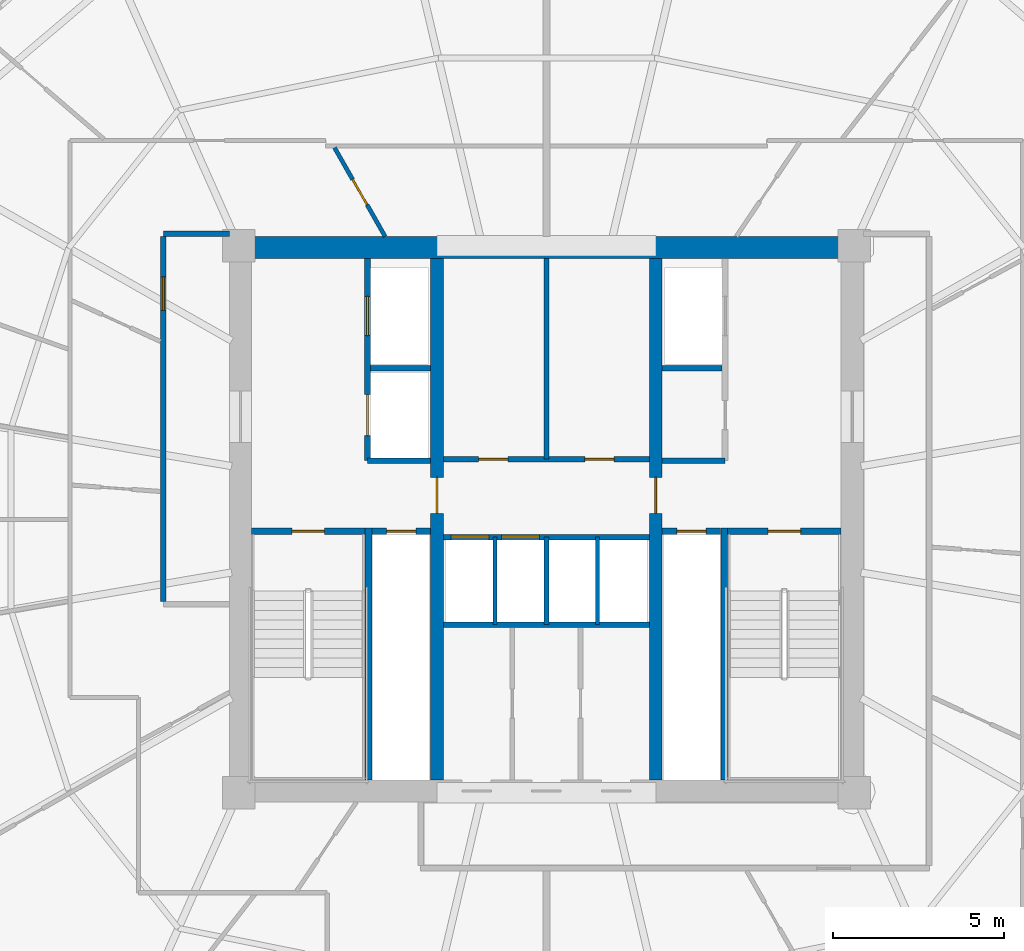
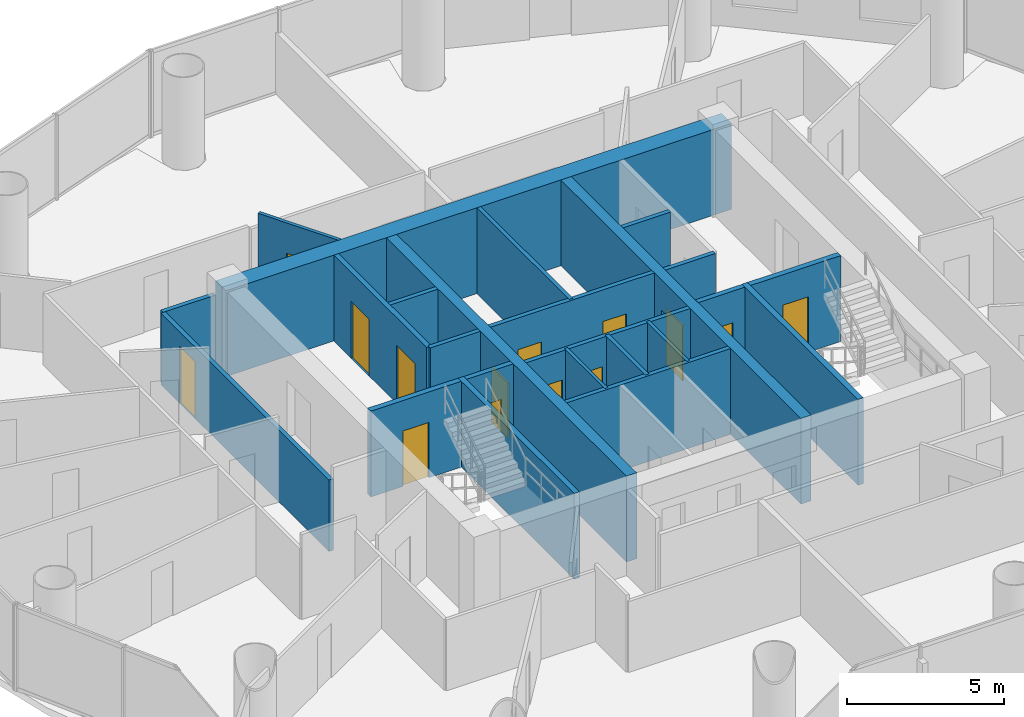
# One storey, part 21 of 26: 24 walls, 14 doors, 14 openings.
"""IFC4 building model written with IfcOpenShell, lengths in metres."""

from ifc_helpers import new_model, si_unit, direction, frame, frame_2d, origin, place, context, subcontext, project, spatial, rectangle, extrude, source, transform, mapped, material, layer, layer_set, type_object, element, fill, save


model = new_model("IFC4")

# Units and contexts
model_context = context("Model", 3, precision=1e-05, world=origin(), true_north=direction((-0.2419218956, 0.970295726276)))
body_context = subcontext(model_context, "Body", "Model", "MODEL_VIEW")
ifc_project = project(units=[si_unit("LENGTHUNIT", "METRE"), si_unit("AREAUNIT", "SQUARE_METRE"), si_unit("VOLUMEUNIT", "CUBIC_METRE"), si_unit("PLANEANGLEUNIT", "RADIAN"), si_unit("MASSUNIT", "GRAM", prefix="KILO")], contexts=[model_context])

# Site, building, storey
site_placement = place(None, origin())
site = spatial("IfcSite", under=ifc_project, at=site_placement, CompositionType="ELEMENT")
building_placement = place(site_placement, origin())
building = spatial("IfcBuilding", under=site, at=building_placement, Name="Cobrevalo Terracotta Tower", CompositionType="ELEMENT")
storey_placement = place(building_placement, frame((0.0, 0.0, 175.0)))
storey = spatial("IfcBuildingStorey", under=building, at=storey_placement, Name="L46", CompositionType="ELEMENT", Elevation=175.0)

# Walls
ifc_material_1 = material(Name="Concrete C55", Category="concrete")
ifc_layer_1 = layer(ifc_material_1, 0.64990234375)
ifc_layer_set_1 = layer_set([ifc_layer_1], Name="Concrete C55")
wall_type_1 = type_object("IfcWallType", Name="Core shear wall 650 mm Concrete C55", PredefinedType="SHEAR", material=ifc_layer_set_1)
wall_1_placement = place(storey_placement, frame((28.72509765625, 34.75, 0.0), z_axis=(0.0, 0.0, 1.0), x_axis=(1.0, 0.0, 0.0)))
element("IfcWall", 1, at=wall_1_placement, inside=storey, type_object=wall_type_1, Name="L46 north core shear wall", PredefinedType="SHEAR", context=body_context, shape_type="SweptSolid", body=[
    extrude(rectangle(XDim=18.5498046875, YDim=0.64990234375, at=frame_2d((9.27490234375, 0.0))), origin(), (0.0, 0.0, 1.0), 3.330078125),
])
ifc_material_2 = material(Name="Gypsum board on steel stud", Category="steel")
ifc_layer_2 = layer(ifc_material_2, 0.159912109375)
ifc_layer_set_2 = layer_set([ifc_layer_2], Name="Gypsum board on steel stud")
wall_type_2 = type_object("IfcWallType", Name="Fire-rated corridor acoustic partition wall 160 mm", PredefinedType="PARTITIONING", material=ifc_layer_set_2)
wall_2_placement = place(storey_placement, frame((32.860107421875, 31.219970703125, 0.0), z_axis=(0.0, 0.0, 1.0), x_axis=(1.0, 0.0, 0.0)))
element("IfcWall", 2, at=wall_2_placement, inside=storey, type_object=wall_type_2, Name="L46 interior partition IW-L46-FF1-M", PredefinedType="PARTITIONING", context=body_context, shape_type="SweptSolid", body=[
    extrude(rectangle(XDim=1.75, YDim=0.159912109375, at=frame_2d((0.875, 0.0))), origin(), (0.0, 0.0, 1.0), 3.330078125),
])
wall_3_placement = place(storey_placement, frame((32.77001953125, 28.52001953125, 0.0), z_axis=(0.0, 0.0, 1.0), x_axis=(1.0, 0.0, 0.0)))
element("IfcWall", 3, at=wall_3_placement, inside=storey, type_object=wall_type_2, Name="L46 interior partition IW-L46-FF1-S", PredefinedType="PARTITIONING", context=body_context, shape_type="SweptSolid", body=[
    extrude(rectangle(XDim=1.840087890625, YDim=0.159912109375, at=frame_2d((0.919921875, 0.0))), origin(), (0.0, 0.0, 1.0), 3.330078125),
])
wall_4_placement = place(storey_placement, frame((41.389892578125, 31.219970703125, 0.0), z_axis=(0.0, 0.0, 1.0), x_axis=(1.0, 0.0, 0.0)))
element("IfcWall", 4, at=wall_4_placement, inside=storey, type_object=wall_type_2, Name="L46 interior partition IW-L46-FF2-M", PredefinedType="PARTITIONING", context=body_context, shape_type="SweptSolid", body=[
    extrude(rectangle(XDim=1.75, YDim=0.159912109375, at=frame_2d((0.875, 0.0))), origin(), (0.0, 0.0, 1.0), 3.330078125),
])
wall_5_placement = place(storey_placement, frame((41.389892578125, 28.52001953125, 0.0), z_axis=(0.0, 0.0, 1.0), x_axis=(1.0, 0.0, 0.0)))
element("IfcWall", 5, at=wall_5_placement, inside=storey, type_object=wall_type_2, Name="L46 interior partition IW-L46-FF2-S", PredefinedType="PARTITIONING", context=body_context, shape_type="SweptSolid", body=[
    extrude(rectangle(XDim=1.840087890625, YDim=0.159912109375, at=frame_2d((0.919921875, 0.0))), origin(), (0.0, 0.0, 1.0), 3.330078125),
])

# Wall, openings, doors
wall_6_placement = place(storey_placement, frame((34.989990234375, 28.56005859375, 0.0), z_axis=(0.0, 0.0, 1.0), x_axis=(1.0, 0.0, 0.0)))
wall_6 = element("IfcWall", 6, at=wall_6_placement, inside=storey, type_object=wall_type_2, Name="L46 interior partition IW-L46-LB-S", PredefinedType="PARTITIONING", context=body_context, shape_type="SweptSolid", body=[
    extrude(rectangle(XDim=6.02001953125, YDim=0.159912109375, at=frame_2d((3.010009765625, 0.0))), origin(), (0.0, 0.0, 1.0), 3.330078125),
])
opening_1_placement = place(wall_6_placement, frame((1.02490234375, 0.0, 0.0)))
opening_1 = element("IfcOpeningElement", 7, at=opening_1_placement, cuts=wall_6, Name="Opening ID-07", PredefinedType="OPENING", context=body_context, shape_type="SweptSolid", body=[
    extrude(rectangle(XDim=0.860107421875, YDim=2.10009765625, at=frame_2d((0.43017578125, 1.050048828125))), frame((0.0, 0.08984375, 0.0), z_axis=(0.0, -1.0, 0.0), x_axis=(1.0, 0.0, 0.0)), (0.0, 0.0, 1.0), 0.179931640625),
])
opening_2_placement = place(wall_6_placement, frame((4.139892578125, 0.0, 0.0)))
opening_2 = element("IfcOpeningElement", 8, at=opening_2_placement, cuts=wall_6, Name="Opening ID-22", PredefinedType="OPENING", context=body_context, shape_type="SweptSolid", body=[
    extrude(rectangle(XDim=0.85009765625, YDim=2.10009765625, at=frame_2d((0.425048828125, 1.050048828125))), frame((0.0, 0.08984375, 0.0), z_axis=(0.0, -1.0, 0.0), x_axis=(1.0, 0.0, 0.0)), (0.0, 0.0, 1.0), 0.179931640625),
])
ifc_material_3 = material(Name="Powder-coated steel", Category="steel")
door_type_1 = type_object("IfcDoorType", Name="Riser shaft & meter closet fire access door 850x2100 EI 60", OperationType="NOTDEFINED", PredefinedType="DOOR", material=ifc_material_3)
shared_shape_1 = source(origin(), body_context, "Body", "SweptSolid", [
    extrude(rectangle(XDim=0.85009765625, YDim=2.10009765625, at=frame_2d((0.425048828125, 1.050048828125))), frame((0.0, 0.02490234375, 0.0), z_axis=(0.0, -1.0, 0.0), x_axis=(1.0, 0.0, 0.0)), (0.0, 0.0, 1.0), 0.050048828125),
])
door_1_placement = place(opening_2_placement, origin())
door_1 = element("IfcDoor", 9, at=door_1_placement, inside=storey, type_object=door_type_1, Name="L46 core service door Floor Telecom and Metering Plant", OperationType="SINGLE_SWING_RIGHT", OverallHeight=2.10009765625, OverallWidth=0.85009765625, PredefinedType="DOOR", context=body_context, shape_type="MappedRepresentation", body=[
    mapped(shared_shape_1, transform((0.0, 0.0, 0.0), scale=1.0)),
])
fill(opening_2, door_1)
ifc_material_4 = material(Name="Fire-rated moisture-sealed timber", Category="wood")
door_type_2 = type_object("IfcDoorType", Name="Core & podium fire-rated accessible WC door 860x2100 EI 60", OperationType="NOTDEFINED", PredefinedType="DOOR", material=ifc_material_4)
shared_shape_2 = source(origin(), body_context, "Body", "SweptSolid", [
    extrude(rectangle(XDim=0.860107421875, YDim=2.10009765625, at=frame_2d((0.43017578125, 1.050048828125))), frame((0.0, 0.02490234375, 0.0), z_axis=(0.0, -1.0, 0.0), x_axis=(1.0, 0.0, 0.0)), (0.0, 0.0, 1.0), 0.050048828125),
])
door_2_placement = place(opening_1_placement, origin())
door_2 = element("IfcDoor", 10, at=door_2_placement, inside=storey, type_object=door_type_2, Name="L46 core service door Core Accessible Toilet WC", OperationType="SINGLE_SWING_LEFT", OverallHeight=2.10009765625, OverallWidth=0.860107421875, PredefinedType="DOOR", context=body_context, shape_type="MappedRepresentation", body=[
    mapped(shared_shape_2, transform((0.0, 0.0, 0.0), scale=1.0)),
])
fill(opening_1, door_2)

wall_7_placement = place(storey_placement, frame((34.989990234375, 26.280029296875, 0.0), z_axis=(0.0, 0.0, 1.0), x_axis=(1.0, 0.0, 0.0)))
wall_7 = element("IfcWall", 11, at=wall_7_placement, inside=storey, type_object=wall_type_2, Name="L46 interior partition IW-L46-MB-N", PredefinedType="PARTITIONING", context=body_context, shape_type="SweptSolid", body=[
    extrude(rectangle(XDim=6.02001953125, YDim=0.159912109375, at=frame_2d((3.010009765625, 0.0))), origin(), (0.0, 0.0, 1.0), 3.330078125),
])
opening_3_placement = place(wall_7_placement, frame((0.22509765625, 0.0, 0.0)))
opening_3 = element("IfcOpeningElement", 12, at=opening_3_placement, cuts=wall_7, Name="Opening LD-01", PredefinedType="OPENING", context=body_context, shape_type="SweptSolid", body=[
    extrude(rectangle(XDim=1.10009765625, YDim=2.199951171875, at=frame_2d((0.550048828125, 1.10009765625))), frame((0.0, 0.08984375, 0.0), z_axis=(0.0, -1.0, 0.0), x_axis=(1.0, 0.0, 0.0)), (0.0, 0.0, 1.0), 0.179931640625),
])
opening_4_placement = place(wall_7_placement, frame((1.705078125, 0.0, 0.0)))
opening_4 = element("IfcOpeningElement", 13, at=opening_4_placement, cuts=wall_7, Name="Opening LD-01", PredefinedType="OPENING", context=body_context, shape_type="SweptSolid", body=[
    extrude(rectangle(XDim=1.10009765625, YDim=2.199951171875, at=frame_2d((0.550048828125, 1.10009765625))), frame((0.0, 0.08984375, 0.0), z_axis=(0.0, -1.0, 0.0), x_axis=(1.0, 0.0, 0.0)), (0.0, 0.0, 1.0), 0.179931640625),
])
ifc_material_5 = material(Name="Brushed stainless steel", Category="steel")
door_type_3 = type_object("IfcDoorType", Name="Passenger lift landing bi-parting sliding door 1100x2200 EI 90", OperationType="DOUBLE_DOOR_SLIDING", PredefinedType="DOOR", material=ifc_material_5)
shared_shape_3 = source(origin(), body_context, "Body", "SweptSolid", [
    extrude(rectangle(XDim=1.10009765625, YDim=2.199951171875, at=frame_2d((0.550048828125, 1.10009765625))), frame((0.0, 0.02490234375, 0.0), z_axis=(0.0, -1.0, 0.0), x_axis=(1.0, 0.0, 0.0)), (0.0, 0.0, 1.0), 0.050048828125),
])
door_3_placement = place(opening_3_placement, origin())
door_3 = element("IfcDoor", 14, at=door_3_placement, inside=storey, type_object=door_type_3, Name="L46 lift landing door PL-M1", OperationType="DOUBLE_DOOR_SLIDING", OverallHeight=2.199951171875, OverallWidth=1.10009765625, PredefinedType="DOOR", context=body_context, shape_type="MappedRepresentation", body=[
    mapped(shared_shape_3, transform((0.0, 0.0, 0.0), scale=1.0)),
])
fill(opening_3, door_3)
door_4_placement = place(opening_4_placement, origin())
door_4 = element("IfcDoor", 15, at=door_4_placement, inside=storey, type_object=door_type_3, Name="L46 lift landing door PL-M2", OperationType="DOUBLE_DOOR_SLIDING", OverallHeight=2.199951171875, OverallWidth=1.10009765625, PredefinedType="DOOR", context=body_context, shape_type="MappedRepresentation", body=[
    mapped(shared_shape_3, transform((0.0, 0.0, 0.0), scale=1.0)),
])
fill(opening_4, door_4)

# Wall
wall_8_placement = place(storey_placement, frame((34.989990234375, 23.719970703125, 0.0), z_axis=(0.0, 0.0, 1.0), x_axis=(1.0, 0.0, 0.0)))
element("IfcWall", 16, at=wall_8_placement, inside=storey, type_object=wall_type_2, Name="L46 interior partition IW-L46-MB-S", PredefinedType="PARTITIONING", context=body_context, shape_type="SweptSolid", body=[
    extrude(rectangle(XDim=6.02001953125, YDim=0.159912109375, at=frame_2d((3.010009765625, 0.0))), origin(), (0.0, 0.0, 1.0), 3.330078125),
])

# Wall, opening, door
wall_9_placement = place(storey_placement, frame((26.794921875, 24.39990234375, 0.0), z_axis=(0.0, 0.0, 1.0), x_axis=(0.0, 1.0, 0.0)))
wall_9 = element("IfcWall", 17, at=wall_9_placement, inside=storey, type_object=wall_type_2, Name="L46 interior partition IW-L46-COR-W", PredefinedType="PARTITIONING", context=body_context, shape_type="SweptSolid", body=[
    extrude(rectangle(XDim=10.675048828125, YDim=0.159912109375, at=frame_2d((5.33740234375, 0.0))), origin(), (0.0, 0.0, 1.0), 2.77587890625),
])
opening_5_placement = place(wall_9_placement, frame((8.513916015625, 0.0, 0.0)))
opening_5 = element("IfcOpeningElement", 18, at=opening_5_placement, cuts=wall_9, Name="Opening ID-05", PredefinedType="OPENING", context=body_context, shape_type="SweptSolid", body=[
    extrude(rectangle(XDim=0.97998046875, YDim=2.199951171875, at=frame_2d((0.489990234375, 1.10009765625))), frame((0.0, 0.08984375, 0.0), z_axis=(0.0, -1.0, 0.0), x_axis=(1.0, 0.0, 0.0)), (0.0, 0.0, 1.0), 0.179931640625),
])
ifc_material_6 = material(Name="Solid hardwood timber", Category="wood")
door_type_4 = type_object("IfcDoorType", Name="Residence entrance fire-rated acoustic timber door 980x2200 EI 60", OperationType="NOTDEFINED", PredefinedType="DOOR", material=ifc_material_6)
shared_shape_4 = source(origin(), body_context, "Body", "SweptSolid", [
    extrude(rectangle(XDim=0.97998046875, YDim=2.199951171875, at=frame_2d((0.489990234375, 1.10009765625))), frame((0.0, 0.02490234375, 0.0), z_axis=(0.0, -1.0, 0.0), x_axis=(1.0, 0.0, 0.0)), (0.0, 0.0, 1.0), 0.050048828125),
])
door_5_placement = place(opening_5_placement, origin())
door_5 = element("IfcDoor", 19, at=door_5_placement, inside=storey, type_object=door_type_4, Name="Flat L46A fire-rated apartment entrance door", OperationType="SINGLE_SWING_LEFT", OverallHeight=2.199951171875, OverallWidth=0.97998046875, PredefinedType="DOOR", context=body_context, shape_type="MappedRepresentation", body=[
    mapped(shared_shape_4, transform((0.0, 0.0, 0.0), scale=1.0)),
])
fill(opening_5, door_5)

# Wall
wall_10_placement = place(storey_placement, frame((26.794921875, 35.155029296875, 0.0), z_axis=(0.0, 0.0, 1.0), x_axis=(1.0, 0.0, 0.0)))
element("IfcWall", 20, at=wall_10_placement, inside=storey, type_object=wall_type_2, Name="L46 interior partition IW-L46-COR-WN-CAP", PredefinedType="PARTITIONING", context=body_context, shape_type="SweptSolid", body=[
    extrude(rectangle(XDim=1.93017578125, YDim=0.159912109375, at=frame_2d((0.965087890625, 0.0))), origin(), (0.0, 0.0, 1.0), 2.77587890625),
])

# Wall, opening, door
ifc_layer_3 = layer(ifc_material_2, 0.179931640625)
ifc_layer_set_3 = layer_set([ifc_layer_3], Name="Gypsum board on steel stud")
wall_type_3 = type_object("IfcWallType", Name="Fire-rated shaft & lobby acoustic partition wall 180 mm", PredefinedType="PARTITIONING", material=ifc_layer_set_3)
wall_11_placement = place(storey_placement, frame((32.89990234375, 26.449951171875, 0.0), z_axis=(0.0, 0.0, 1.0), x_axis=(1.0, 0.0, 0.0)))
wall_11 = element("IfcWall", 21, at=wall_11_placement, inside=storey, type_object=wall_type_3, Name="L46 interior partition IW-L46-RSW-N", PredefinedType="PARTITIONING", context=body_context, shape_type="SweptSolid", body=[
    extrude(rectangle(XDim=1.710205078125, YDim=0.179931640625, at=frame_2d((0.85498046875, 0.0))), origin(), (0.0, 0.0, 1.0), 3.330078125),
])
opening_6_placement = place(wall_11_placement, frame((0.429931640625, 0.0, 0.0)))
opening_6 = element("IfcOpeningElement", 22, at=opening_6_placement, cuts=wall_11, Name="Opening ID-22", PredefinedType="OPENING", context=body_context, shape_type="SweptSolid", body=[
    extrude(rectangle(XDim=0.85009765625, YDim=2.10009765625, at=frame_2d((0.425048828125, 1.050048828125))), frame((0.0, 0.10009765625, 0.0), z_axis=(0.0, -1.0, 0.0), x_axis=(1.0, 0.0, 0.0)), (0.0, 0.0, 1.0), 0.199951171875),
])
door_6_placement = place(opening_6_placement, origin())
door_6 = element("IfcDoor", 23, at=door_6_placement, inside=storey, type_object=door_type_1, Name="L46 riser access door RSW", OperationType="SINGLE_SWING_LEFT", OverallHeight=2.10009765625, OverallWidth=0.85009765625, PredefinedType="DOOR", context=body_context, shape_type="MappedRepresentation", body=[
    mapped(shared_shape_1, transform((0.0, 0.0, 0.0), scale=1.0)),
])
fill(opening_6, door_6)

wall_12_placement = place(storey_placement, frame((41.389892578125, 26.449951171875, 0.0), z_axis=(0.0, 0.0, 1.0), x_axis=(1.0, 0.0, 0.0)))
wall_12 = element("IfcWall", 24, at=wall_12_placement, inside=storey, type_object=wall_type_3, Name="L46 interior partition IW-L46-RSE-N", PredefinedType="PARTITIONING", context=body_context, shape_type="SweptSolid", body=[
    extrude(rectangle(XDim=1.710205078125, YDim=0.179931640625, at=frame_2d((0.85498046875, 0.0))), origin(), (0.0, 0.0, 1.0), 3.330078125),
])
opening_7_placement = place(wall_12_placement, frame((0.429931640625, 0.0, 0.0)))
opening_7 = element("IfcOpeningElement", 25, at=opening_7_placement, cuts=wall_12, Name="Opening ID-22", PredefinedType="OPENING", context=body_context, shape_type="SweptSolid", body=[
    extrude(rectangle(XDim=0.85009765625, YDim=2.10009765625, at=frame_2d((0.425048828125, 1.050048828125))), frame((0.0, 0.10009765625, 0.0), z_axis=(0.0, -1.0, 0.0), x_axis=(1.0, 0.0, 0.0)), (0.0, 0.0, 1.0), 0.199951171875),
])
door_7_placement = place(opening_7_placement, origin())
door_7 = element("IfcDoor", 26, at=door_7_placement, inside=storey, type_object=door_type_1, Name="L46 riser access door RSE", OperationType="SINGLE_SWING_RIGHT", OverallHeight=2.10009765625, OverallWidth=0.85009765625, PredefinedType="DOOR", context=body_context, shape_type="MappedRepresentation", body=[
    mapped(shared_shape_1, transform((0.0, 0.0, 0.0), scale=1.0)),
])
fill(opening_7, door_7)

# Wall, openings, doors
wall_13_placement = place(storey_placement, frame((32.77001953125, 28.52001953125, 0.0), z_axis=(0.0, 0.0, 1.0), x_axis=(0.0, 1.0, 0.0)))
wall_13 = element("IfcWall", 27, at=wall_13_placement, inside=storey, type_object=wall_type_3, Name="L46 interior partition IW-L46-FF1-W", PredefinedType="PARTITIONING", context=body_context, shape_type="SweptSolid", body=[
    extrude(rectangle(XDim=5.905029296875, YDim=0.179931640625, at=frame_2d((2.95263671875, 0.0))), origin(), (0.0, 0.0, 1.0), 3.330078125),
])
opening_8_placement = place(wall_13_placement, frame((3.655029296875, 0.0, 0.0)))
opening_8 = element("IfcOpeningElement", 28, at=opening_8_placement, cuts=wall_13, Name="Opening LD-02", PredefinedType="OPENING", context=body_context, shape_type="SweptSolid", body=[
    extrude(rectangle(XDim=1.14990234375, YDim=2.199951171875, at=frame_2d((0.574951171875, 1.10009765625))), frame((0.0, 0.10009765625, 0.0), z_axis=(0.0, -1.0, 0.0), x_axis=(1.0, 0.0, 0.0)), (0.0, 0.0, 1.0), 0.199951171875),
])
opening_9_placement = place(wall_13_placement, frame((0.72998046875, 0.0, 0.0)))
opening_9 = element("IfcOpeningElement", 29, at=opening_9_placement, cuts=wall_13, Name="Opening LD-03", PredefinedType="OPENING", context=body_context, shape_type="SweptSolid", body=[
    extrude(rectangle(XDim=1.199951171875, YDim=2.25, at=frame_2d((0.60009765625, 1.125))), frame((0.0, 0.10009765625, 0.0), z_axis=(0.0, -1.0, 0.0), x_axis=(1.0, 0.0, 0.0)), (0.0, 0.0, 1.0), 0.199951171875),
])
door_type_5 = type_object("IfcDoorType", Name="Firefighting lift landing bi-parting sliding door 1150x2200 EI 120", OperationType="DOUBLE_DOOR_SLIDING", PredefinedType="DOOR", material=ifc_material_5)
shared_shape_5 = source(origin(), body_context, "Body", "SweptSolid", [
    extrude(rectangle(XDim=1.14990234375, YDim=2.199951171875, at=frame_2d((0.574951171875, 1.10009765625))), frame((0.0, 0.02490234375, 0.0), z_axis=(0.0, -1.0, 0.0), x_axis=(1.0, 0.0, 0.0)), (0.0, 0.0, 1.0), 0.050048828125),
])
door_8_placement = place(opening_8_placement, origin())
door_8 = element("IfcDoor", 30, at=door_8_placement, inside=storey, type_object=door_type_5, Name="L46 lift landing door FF-1", OperationType="DOUBLE_DOOR_SLIDING", OverallHeight=2.199951171875, OverallWidth=1.14990234375, PredefinedType="DOOR", context=body_context, shape_type="MappedRepresentation", body=[
    mapped(shared_shape_5, transform((0.0, 0.0, 0.0), scale=1.0)),
])
fill(opening_8, door_8)
door_type_6 = type_object("IfcDoorType", Name="Service lift landing bi-parting sliding door 1200x2250 EI 120", OperationType="DOUBLE_DOOR_SLIDING", PredefinedType="DOOR", material=ifc_material_5)
shared_shape_6 = source(origin(), body_context, "Body", "SweptSolid", [
    extrude(rectangle(XDim=1.199951171875, YDim=2.25, at=frame_2d((0.60009765625, 1.125))), frame((0.0, 0.02490234375, 0.0), z_axis=(0.0, -1.0, 0.0), x_axis=(1.0, 0.0, 0.0)), (0.0, 0.0, 1.0), 0.050048828125),
])
door_9_placement = place(opening_9_placement, origin())
door_9 = element("IfcDoor", 31, at=door_9_placement, inside=storey, type_object=door_type_6, Name="L46 lift landing door SV-1", OperationType="DOUBLE_DOOR_SLIDING", OverallHeight=2.25, OverallWidth=1.199951171875, PredefinedType="DOOR", context=body_context, shape_type="MappedRepresentation", body=[
    mapped(shared_shape_6, transform((0.0, 0.0, 0.0), scale=1.0)),
])
fill(opening_9, door_9)

# Walls
ifc_material_7 = material(Name="Autoclaved aerated concrete block", Category="concrete")
ifc_layer_4 = layer(ifc_material_7, 0.1201171875)
ifc_layer_set_4 = layer_set([ifc_layer_4], Name="Autoclaved aerated concrete block")
wall_type_4 = type_object("IfcWallType", Name="Fire-rated wet-room & core service partition 120 mm", PredefinedType="PARTITIONING", material=ifc_layer_set_4)
for number, where, z_axis, x_axis, name in (
    (32, (36.5, 23.719970703125, 0.0), (0.0, 0.0, 1.0), (0.0, 1.0, 0.0), "L46 interior partition IW-L46-MB-D1"),
    (33, (39.5, 23.719970703125, 0.0), (0.0, 0.0, 1.0), (0.0, 1.0, 0.0), "L46 interior partition IW-L46-MB-D3"),
):
    element("IfcWall", number, at=place(storey_placement, frame(where, z_axis=z_axis, x_axis=x_axis)), inside=storey, type_object=wall_type_4, Name=name, PredefinedType="PARTITIONING", context=body_context, shape_type="SweptSolid", body=[
        extrude(rectangle(XDim=2.56005859375, YDim=0.1201171875, at=frame_2d((1.280029296875, 0.0))), origin(), (0.0, 0.0, 1.0), 3.330078125),
    ])

# Wall, opening, door
ifc_material_8 = material(Name="Concrete C50", Category="concrete")
ifc_layer_5 = layer(ifc_material_8, 0.3798828125)
ifc_layer_set_5 = layer_set([ifc_layer_5], Name="Concrete C50")
wall_type_5 = type_object("IfcWallType", Name="Internal core shear web wall 380 mm Concrete C50", PredefinedType="SHEAR", material=ifc_layer_set_5)
wall_14_placement = place(storey_placement, frame((34.800048828125, 19.175048828125, 0.0), z_axis=(0.0, 0.0, 1.0), x_axis=(0.0, 1.0, 0.0)))
wall_14 = element("IfcWall", 34, at=wall_14_placement, inside=storey, type_object=wall_type_5, Name="L46 internal core shear wall WEB-W", PredefinedType="SHEAR", context=body_context, shape_type="SweptSolid", body=[
    extrude(rectangle(XDim=15.25, YDim=0.3798828125, at=frame_2d((7.625, 0.0))), origin(), (0.0, 0.0, 1.0), 3.330078125),
])
opening_10_placement = place(wall_14_placement, frame((7.800048828125, 0.0, 0.0)))
opening_10 = element("IfcOpeningElement", 35, at=opening_10_placement, cuts=wall_14, Name="Opening ID-11", PredefinedType="OPENING", context=body_context, shape_type="SweptSolid", body=[
    extrude(rectangle(XDim=1.050048828125, YDim=2.14990234375, at=frame_2d((0.52490234375, 1.074951171875))), frame((0.0, 0.199951171875, 0.0), z_axis=(0.0, -1.0, 0.0), x_axis=(1.0, 0.0, 0.0)), (0.0, 0.0, 1.0), 0.39990234375),
])
ifc_material_9 = material(Name="Galvanized fire-rated steel", Category="steel")
door_type_7 = type_object("IfcDoorType", Name="Core concourse cross fire door 1050x2150 EI 90", OperationType="NOTDEFINED", PredefinedType="DOOR", material=ifc_material_9)
shared_shape_7 = source(origin(), body_context, "Body", "SweptSolid", [
    extrude(rectangle(XDim=1.050048828125, YDim=2.14990234375, at=frame_2d((0.52490234375, 1.074951171875))), frame((0.0, 0.02490234375, 0.0), z_axis=(0.0, -1.0, 0.0), x_axis=(1.0, 0.0, 0.0)), (0.0, 0.0, 1.0), 0.050048828125),
])
door_10_placement = place(opening_10_placement, origin())
door_10 = element("IfcDoor", 36, at=door_10_placement, inside=storey, type_object=door_type_7, Name="L46 west core concourse cross door", OperationType="SINGLE_SWING_LEFT", OverallHeight=2.14990234375, OverallWidth=1.050048828125, PredefinedType="DOOR", context=body_context, shape_type="MappedRepresentation", body=[
    mapped(shared_shape_7, transform((0.0, 0.0, 0.0), scale=1.0)),
])
fill(opening_10, door_10)

wall_15_placement = place(storey_placement, frame((41.199951171875, 19.175048828125, 0.0), z_axis=(0.0, 0.0, 1.0), x_axis=(0.0, 1.0, 0.0)))
wall_15 = element("IfcWall", 37, at=wall_15_placement, inside=storey, type_object=wall_type_5, Name="L46 internal core shear wall WEB-E", PredefinedType="SHEAR", context=body_context, shape_type="SweptSolid", body=[
    extrude(rectangle(XDim=15.25, YDim=0.3798828125, at=frame_2d((7.625, 0.0))), origin(), (0.0, 0.0, 1.0), 3.330078125),
])
opening_11_placement = place(wall_15_placement, frame((7.800048828125, 0.0, 0.0)))
opening_11 = element("IfcOpeningElement", 38, at=opening_11_placement, cuts=wall_15, Name="Opening ID-11", PredefinedType="OPENING", context=body_context, shape_type="SweptSolid", body=[
    extrude(rectangle(XDim=1.050048828125, YDim=2.14990234375, at=frame_2d((0.52490234375, 1.074951171875))), frame((0.0, 0.199951171875, 0.0), z_axis=(0.0, -1.0, 0.0), x_axis=(1.0, 0.0, 0.0)), (0.0, 0.0, 1.0), 0.39990234375),
])
door_11_placement = place(opening_11_placement, frame((1.050048828125, 0.0, 0.0), z_axis=(0.0, 0.0, 1.0), x_axis=(-1.0, 0.0, 0.0)))
door_11 = element("IfcDoor", 39, at=door_11_placement, inside=storey, type_object=door_type_7, Name="L46 east core concourse cross door", OperationType="SINGLE_SWING_RIGHT", OverallHeight=2.14990234375, OverallWidth=1.050048828125, PredefinedType="DOOR", context=body_context, shape_type="MappedRepresentation", body=[
    mapped(shared_shape_7, transform((0.0, 0.0, 0.0), scale=1.0)),
])
fill(opening_11, door_11)

# Walls
ifc_layer_6 = layer(ifc_material_7, 0.139892578125)
ifc_layer_set_6 = layer_set([ifc_layer_6], Name="Autoclaved aerated concrete block")
wall_type_6 = type_object("IfcWallType", Name="Moisture-resistant wet-room & core service partition 140 mm", PredefinedType="PARTITIONING", material=ifc_layer_set_6)
wall_16_placement = place(storey_placement, frame((38.0, 28.56005859375, 0.0), z_axis=(0.0, 0.0, 1.0), x_axis=(0.0, 1.0, 0.0)))
element("IfcWall", 40, at=wall_16_placement, inside=storey, type_object=wall_type_6, Name="L46 interior partition IW-L46-KVN-1", PredefinedType="PARTITIONING", context=body_context, shape_type="SweptSolid", body=[
    extrude(rectangle(XDim=5.864990234375, YDim=0.139892578125, at=frame_2d((2.9326171875, 0.0))), origin(), (0.0, 0.0, 1.0), 3.330078125),
])
wall_17_placement = place(storey_placement, frame((38.0, 23.719970703125, 0.0), z_axis=(0.0, 0.0, 1.0), x_axis=(0.0, 1.0, 0.0)))
element("IfcWall", 41, at=wall_17_placement, inside=storey, type_object=wall_type_6, Name="L46 interior partition IW-L46-MB-D2", PredefinedType="PARTITIONING", context=body_context, shape_type="SweptSolid", body=[
    extrude(rectangle(XDim=2.56005859375, YDim=0.139892578125, at=frame_2d((1.280029296875, 0.0))), origin(), (0.0, 0.0, 1.0), 3.330078125),
])

# Wall, opening, door
ifc_layer_7 = layer(ifc_material_2, 0.1201171875)
ifc_layer_set_7 = layer_set([ifc_layer_7], Name="Gypsum board on steel stud")
wall_type_7 = type_object("IfcWallType", Name="Residential internal acoustic stud partition 120 mm", PredefinedType="PARTITIONING", material=ifc_layer_set_7)
wall_18_placement = place(storey_placement, frame((33.283447265625, 35.074951171875, 0.0), z_axis=(0.0, 0.0, 1.0), x_axis=(-0.495179611311, 0.868790626412, 0.0)))
wall_18 = element("IfcWall", 42, at=wall_18_placement, inside=storey, type_object=wall_type_7, Name="L46 interior partition IW-L46-U1-IRAD1", PredefinedType="PARTITIONING", context=body_context, shape_type="SweptSolid", body=[
    extrude(rectangle(XDim=2.98828125, YDim=0.1201171875, at=frame_2d((1.494140625, 0.0))), origin(), (0.0, 0.0, 1.0), 3.330078125),
])
opening_12_placement = place(wall_18_placement, frame((1.064208984375, 0.0, 0.0)))
opening_12 = element("IfcOpeningElement", 43, at=opening_12_placement, cuts=wall_18, Name="Opening ID-19", PredefinedType="OPENING", context=body_context, shape_type="SweptSolid", body=[
    extrude(rectangle(XDim=0.860107421875, YDim=2.14990234375, at=frame_2d((0.43017578125, 1.074951171875))), frame((0.0, 0.070068359375, 0.0), z_axis=(0.0, -1.0, 0.0), x_axis=(1.0, 0.0, 0.0)), (0.0, 0.0, 1.0), 0.14013671875),
])
ifc_material_10 = material(Name="Moisture-sealed timber", Category="wood")
door_type_8 = type_object("IfcDoorType", Name="Suite bathroom internal timber door 860x2150", OperationType="NOTDEFINED", PredefinedType="DOOR", material=ifc_material_10)
shared_shape_8 = source(origin(), body_context, "Body", "SweptSolid", [
    extrude(rectangle(XDim=0.860107421875, YDim=2.14990234375, at=frame_2d((0.43017578125, 1.074951171875))), frame((0.0, 0.02490234375, 0.0), z_axis=(0.0, -1.0, 0.0), x_axis=(1.0, 0.0, 0.0)), (0.0, 0.0, 1.0), 0.050048828125),
])
door_12_placement = place(opening_12_placement, frame((0.860107421875, 0.0, 0.0), z_axis=(0.0, 0.0, 1.0), x_axis=(-1.0, 0.0, 0.0)))
door_12 = element("IfcDoor", 44, at=door_12_placement, inside=storey, type_object=door_type_8, Name="Flat L46A Primary Bathroom internal door", OperationType="SINGLE_SWING_RIGHT", OverallHeight=2.14990234375, OverallWidth=0.860107421875, PredefinedType="DOOR", context=body_context, shape_type="MappedRepresentation", body=[
    mapped(shared_shape_8, transform((0.0, 0.0, 0.0), scale=1.0)),
])
fill(opening_12, door_12)

# Wall
ifc_layer_8 = layer(ifc_material_8, 0.199951171875)
ifc_layer_set_8 = layer_set([ifc_layer_8], Name="Concrete C50")
wall_type_8 = type_object("IfcWallType", Name="Structural core & podium stair-shaft RC wall 200 mm Concrete C50", PredefinedType="SOLIDWALL", material=ifc_layer_set_8)
wall_19_placement = place(storey_placement, frame((32.794921875, 19.175048828125, 0.0), z_axis=(0.0, 0.0, 1.0), x_axis=(0.0, 1.0, 0.0)))
element("IfcWall", 45, at=wall_19_placement, inside=storey, type_object=wall_type_8, Name="L46 ST-1 east structural shaft wall", PredefinedType="SOLIDWALL", context=body_context, shape_type="SweptSolid", body=[
    extrude(rectangle(XDim=7.375, YDim=0.199951171875, at=frame_2d((3.6875, 0.0))), origin(), (0.0, 0.0, 1.0), 3.330078125),
])

# Wall, opening, door
wall_20_placement = place(storey_placement, frame((29.375, 26.449951171875, 0.0), z_axis=(0.0, 0.0, 1.0), x_axis=(1.0, 0.0, 0.0)))
wall_20 = element("IfcWall", 46, at=wall_20_placement, inside=storey, type_object=wall_type_8, Name="L46 ST-1 north structural shaft wall", PredefinedType="SOLIDWALL", context=body_context, shape_type="SweptSolid", body=[
    extrude(rectangle(XDim=3.320068359375, YDim=0.199951171875, at=frame_2d((1.66015625, 0.0))), origin(), (0.0, 0.0, 1.0), 3.330078125),
])
opening_13_placement = place(wall_20_placement, frame((1.18505859375, 0.0, 0.0)))
opening_13 = element("IfcOpeningElement", 47, at=opening_13_placement, cuts=wall_20, Name="Opening ID-04", PredefinedType="OPENING", context=body_context, shape_type="SweptSolid", body=[
    extrude(rectangle(XDim=0.949951171875, YDim=2.14990234375, at=frame_2d((0.47509765625, 1.074951171875))), frame((0.0, 0.10986328125, 0.0), z_axis=(0.0, -1.0, 0.0), x_axis=(1.0, 0.0, 0.0)), (0.0, 0.0, 1.0), 0.219970703125),
])
door_type_9 = type_object("IfcDoorType", Name="Stair & firefighting lobby fire door 950x2150 EI 90", OperationType="NOTDEFINED", PredefinedType="DOOR", material=ifc_material_9)
shared_shape_9 = source(origin(), body_context, "Body", "SweptSolid", [
    extrude(rectangle(XDim=0.949951171875, YDim=2.14990234375, at=frame_2d((0.47509765625, 1.074951171875))), frame((0.0, 0.02490234375, 0.0), z_axis=(0.0, -1.0, 0.0), x_axis=(1.0, 0.0, 0.0)), (0.0, 0.0, 1.0), 0.050048828125),
])
door_13_placement = place(opening_13_placement, origin())
door_13 = element("IfcDoor", 48, at=door_13_placement, inside=storey, type_object=door_type_9, Name="L46 protected stair ST1 fire door", OperationType="SINGLE_SWING_LEFT", OverallHeight=2.14990234375, OverallWidth=0.949951171875, PredefinedType="DOOR", context=body_context, shape_type="MappedRepresentation", body=[
    mapped(shared_shape_9, transform((0.0, 0.0, 0.0), scale=1.0)),
])
fill(opening_13, door_13)

# Wall
wall_21_placement = place(storey_placement, frame((43.205078125, 19.175048828125, 0.0), z_axis=(0.0, 0.0, 1.0), x_axis=(0.0, 1.0, 0.0)))
element("IfcWall", 49, at=wall_21_placement, inside=storey, type_object=wall_type_8, Name="L46 ST-2 west structural shaft wall", PredefinedType="SOLIDWALL", context=body_context, shape_type="SweptSolid", body=[
    extrude(rectangle(XDim=7.375, YDim=0.199951171875, at=frame_2d((3.6875, 0.0))), origin(), (0.0, 0.0, 1.0), 3.330078125),
])

# Wall, opening, door
wall_22_placement = place(storey_placement, frame((43.304931640625, 26.449951171875, 0.0), z_axis=(0.0, 0.0, 1.0), x_axis=(1.0, 0.0, 0.0)))
wall_22 = element("IfcWall", 50, at=wall_22_placement, inside=storey, type_object=wall_type_8, Name="L46 ST-2 north structural shaft wall", PredefinedType="SOLIDWALL", context=body_context, shape_type="SweptSolid", body=[
    extrude(rectangle(XDim=3.320068359375, YDim=0.199951171875, at=frame_2d((1.66015625, 0.0))), origin(), (0.0, 0.0, 1.0), 3.330078125),
])
opening_14_placement = place(wall_22_placement, frame((1.18505859375, 0.0, 0.0)))
opening_14 = element("IfcOpeningElement", 51, at=opening_14_placement, cuts=wall_22, Name="Opening ID-04", PredefinedType="OPENING", context=body_context, shape_type="SweptSolid", body=[
    extrude(rectangle(XDim=0.949951171875, YDim=2.14990234375, at=frame_2d((0.47509765625, 1.074951171875))), frame((0.0, 0.10986328125, 0.0), z_axis=(0.0, -1.0, 0.0), x_axis=(1.0, 0.0, 0.0)), (0.0, 0.0, 1.0), 0.219970703125),
])
door_14_placement = place(opening_14_placement, frame((0.949951171875, 0.0, 0.0), z_axis=(0.0, 0.0, 1.0), x_axis=(-1.0, 0.0, 0.0)))
door_14 = element("IfcDoor", 52, at=door_14_placement, inside=storey, type_object=door_type_9, Name="L46 protected stair ST2 fire door", OperationType="SINGLE_SWING_RIGHT", OverallHeight=2.14990234375, OverallWidth=0.949951171875, PredefinedType="DOOR", context=body_context, shape_type="MappedRepresentation", body=[
    mapped(shared_shape_9, transform((0.0, 0.0, 0.0), scale=1.0)),
])
fill(opening_14, door_14)

save(model, "model.ifc")
